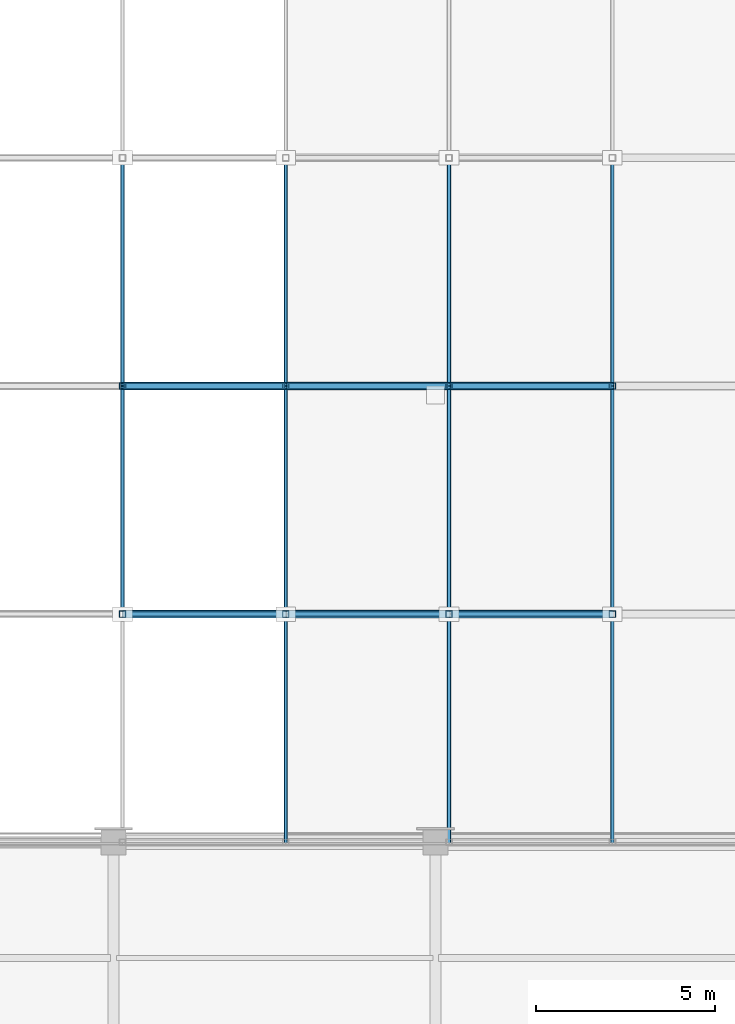
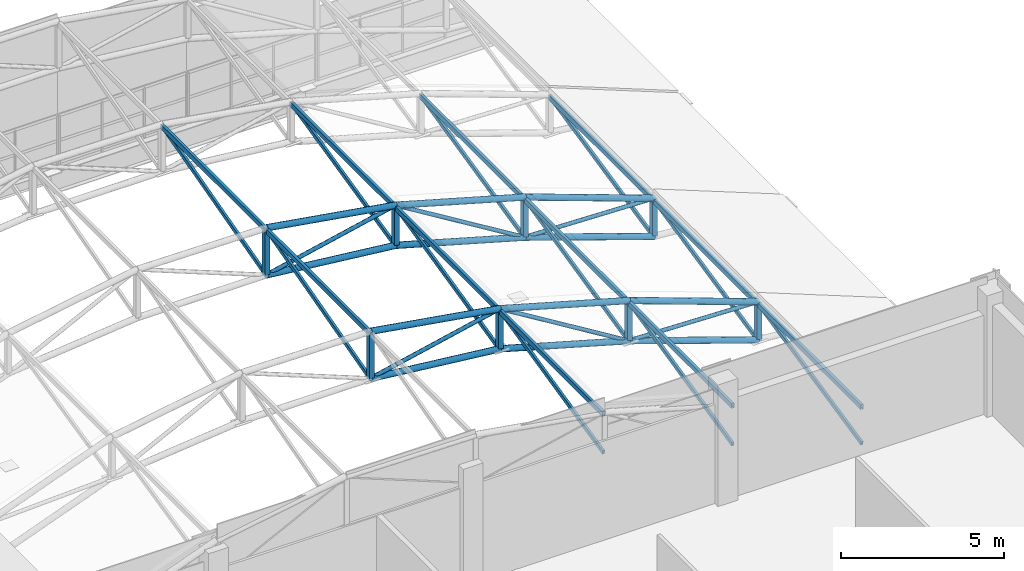
# One storey, part 52 of 101: 48 members.
"""IFC4 building model written with IfcOpenShell, lengths in metres."""

from ifc_helpers import new_model, si_unit, direction, frame, origin, origin_2d, place, context, subcontext, project, spatial, hollow_rectangle, hollow_circle, extrude, material, material_profile, profile_set, type_object, element, save


model = new_model("IFC4")

# Units and contexts
model_context = context("Model", 3, precision=1e-05, world=origin(), true_north=direction((0.0, 1.0)))
body_context = subcontext(model_context, "Body", "Model", "MODEL_VIEW")
ifc_project = project(units=[si_unit("LENGTHUNIT", "METRE"), si_unit("AREAUNIT", "SQUARE_METRE"), si_unit("VOLUMEUNIT", "CUBIC_METRE"), si_unit("PLANEANGLEUNIT", "RADIAN"), si_unit("MASSUNIT", "GRAM", prefix="KILO")], contexts=[model_context])

# Site, building, storey
site_placement = place(None, origin())
site = spatial("IfcSite", under=ifc_project, at=site_placement, CompositionType="ELEMENT")
building_placement = place(site_placement, origin())
building = spatial("IfcBuilding", under=site, at=building_placement, Name="Solvikara Media Centre", CompositionType="ELEMENT")
storey_placement = place(building_placement, frame((0.0, 0.0, 10.199951171875)))
storey = spatial("IfcBuildingStorey", under=building, at=storey_placement, Name="L02", CompositionType="ELEMENT", Elevation=10.199951171875)

# Members
ifc_material = material(Name="Steel S355JR", Category="steel")
ifc_material_profile_1 = material_profile(ifc_material, hollow_circle(Radius=0.109619140625, WallThickness=0.008056640625, at=origin_2d()), Name="CHS 219.1x8")
ifc_profile_set_1 = profile_set([ifc_material_profile_1], Name="Steel S355JR")
member_type_1 = type_object("IfcMemberType", Name="MB-05", PredefinedType="CHORD", material=ifc_profile_set_1)
member_1_placement = place(storey_placement, frame((145.75, 52.875, 5.41015625), z_axis=(0.986711742418, 0.0, -0.162480575373), x_axis=(0.0, 1.0, 0.0)))
element("IfcMember", 1, at=member_1_placement, inside=storey, type_object=member_type_1, Name="BSA-TC-01-04", PredefinedType="CHORD", context=body_context, shape_type="SweptSolid", body=[
    extrude(hollow_circle(Radius=0.109619140625, WallThickness=0.008056640625, at=origin_2d()), origin(), (0.0, 0.0, 1.0), 4.62353515625),
])
member_2_placement = place(storey_placement, frame((145.75, 52.875, 3.650146484375), z_axis=(0.994253057295, 0.0, -0.107055397157), x_axis=(0.0, 1.0, 0.0)))
element("IfcMember", 2, at=member_2_placement, inside=storey, type_object=member_type_1, Name="BSA-BC-01-04", PredefinedType="CHORD", context=body_context, shape_type="SweptSolid", body=[
    extrude(hollow_circle(Radius=0.109619140625, WallThickness=0.008056640625, at=origin_2d()), origin(), (0.0, 0.0, 1.0), 4.58837890625),
])
for number, where, z_axis, x_axis, name in (
    (3, (150.31201171875, 52.875, 4.658935546875), (0.962119975268, 0.0, -0.272626398556), (0.0, 1.0, 0.0), "BSA-TC-01-05"),
    (4, (150.31201171875, 52.875, 3.158935546875), (0.962119975268, 0.0, -0.272626398556), (0.0, 1.0, 0.0), "BSA-BC-01-05"),
):
    element("IfcMember", number, at=place(storey_placement, frame(where, z_axis=z_axis, x_axis=x_axis)), inside=storey, type_object=member_type_1, Name=name, PredefinedType="CHORD", context=body_context, shape_type="SweptSolid", body=[
        extrude(hollow_circle(Radius=0.109619140625, WallThickness=0.008056640625, at=origin_2d()), origin(), (0.0, 0.0, 1.0), 4.74267578125),
    ])
member_3_placement = place(storey_placement, frame((154.875, 52.875, 3.365966796875), z_axis=(0.940941951614, 0.0, -0.338567930691), x_axis=(0.0, 1.0, 0.0)))
element("IfcMember", 5, at=member_3_placement, inside=storey, type_object=member_type_1, Name="BSA-TC-01-06", PredefinedType="CHORD", context=body_context, shape_type="SweptSolid", body=[
    extrude(hollow_circle(Radius=0.109619140625, WallThickness=0.008056640625, at=origin_2d()), origin(), (0.0, 0.0, 1.0), 4.849365234375),
])
member_4_placement = place(storey_placement, frame((154.875, 52.875, 1.865966796875), z_axis=(0.94585275082, 0.0, -0.324596016252), x_axis=(0.0, 1.0, 0.0)))
element("IfcMember", 6, at=member_4_placement, inside=storey, type_object=member_type_1, Name="BSA-BC-01-06", PredefinedType="CHORD", context=body_context, shape_type="SweptSolid", body=[
    extrude(hollow_circle(Radius=0.109619140625, WallThickness=0.008056640625, at=origin_2d()), origin(), (0.0, 0.0, 1.0), 4.82421875),
])
member_5_placement = place(storey_placement, frame((145.75, 59.25, 5.41015625), z_axis=(0.986711742418, 0.0, -0.162480575373), x_axis=(0.0, 1.0, 0.0)))
element("IfcMember", 7, at=member_5_placement, inside=storey, type_object=member_type_1, Name="BSA-TC-02-04", PredefinedType="CHORD", context=body_context, shape_type="SweptSolid", body=[
    extrude(hollow_circle(Radius=0.109619140625, WallThickness=0.008056640625, at=origin_2d()), origin(), (0.0, 0.0, 1.0), 4.62353515625),
])
member_6_placement = place(storey_placement, frame((145.75, 59.25, 3.650146484375), z_axis=(0.994253057295, 0.0, -0.107055397157), x_axis=(0.0, 1.0, 0.0)))
element("IfcMember", 8, at=member_6_placement, inside=storey, type_object=member_type_1, Name="BSA-BC-02-04", PredefinedType="CHORD", context=body_context, shape_type="SweptSolid", body=[
    extrude(hollow_circle(Radius=0.109619140625, WallThickness=0.008056640625, at=origin_2d()), origin(), (0.0, 0.0, 1.0), 4.58837890625),
])
for number, where, z_axis, x_axis, name in (
    (9, (150.31201171875, 59.25, 4.658935546875), (0.962119975268, 0.0, -0.272626398556), (0.0, 1.0, 0.0), "BSA-TC-02-05"),
    (10, (150.31201171875, 59.25, 3.158935546875), (0.962119975268, 0.0, -0.272626398556), (0.0, 1.0, 0.0), "BSA-BC-02-05"),
):
    element("IfcMember", number, at=place(storey_placement, frame(where, z_axis=z_axis, x_axis=x_axis)), inside=storey, type_object=member_type_1, Name=name, PredefinedType="CHORD", context=body_context, shape_type="SweptSolid", body=[
        extrude(hollow_circle(Radius=0.109619140625, WallThickness=0.008056640625, at=origin_2d()), origin(), (0.0, 0.0, 1.0), 4.74267578125),
    ])
member_7_placement = place(storey_placement, frame((154.875, 59.25, 3.365966796875), z_axis=(0.940941951614, 0.0, -0.338567930691), x_axis=(0.0, 1.0, 0.0)))
element("IfcMember", 11, at=member_7_placement, inside=storey, type_object=member_type_1, Name="BSA-TC-02-06", PredefinedType="CHORD", context=body_context, shape_type="SweptSolid", body=[
    extrude(hollow_circle(Radius=0.109619140625, WallThickness=0.008056640625, at=origin_2d()), origin(), (0.0, 0.0, 1.0), 4.849365234375),
])
member_8_placement = place(storey_placement, frame((154.875, 59.25, 1.865966796875), z_axis=(0.94585275082, 0.0, -0.324596016252), x_axis=(0.0, 1.0, 0.0)))
element("IfcMember", 12, at=member_8_placement, inside=storey, type_object=member_type_1, Name="BSA-BC-02-06", PredefinedType="CHORD", context=body_context, shape_type="SweptSolid", body=[
    extrude(hollow_circle(Radius=0.109619140625, WallThickness=0.008056640625, at=origin_2d()), origin(), (0.0, 0.0, 1.0), 4.82421875),
])
ifc_material_profile_2 = material_profile(ifc_material, hollow_circle(Radius=0.06982421875, WallThickness=0.00634765625, at=origin_2d()), Name="CHS 139.7x6.3")
ifc_profile_set_2 = profile_set([ifc_material_profile_2], Name="Steel S355JR")
member_type_2 = type_object("IfcMemberType", Name="MB-08", PredefinedType="BRACE", material=ifc_profile_set_2)
member_9_placement = place(storey_placement, frame((145.75, 52.875, 3.650146484375), z_axis=(0.976412757167, 0.0, 0.215912314707), x_axis=(0.0, 1.0, 0.0)))
element("IfcMember", 13, at=member_9_placement, inside=storey, type_object=member_type_2, Name="BSA-DG-01-04", PredefinedType="BRACE", context=body_context, shape_type="SweptSolid", body=[
    extrude(hollow_circle(Radius=0.06982421875, WallThickness=0.00634765625, at=origin_2d()), origin(), (0.0, 0.0, 1.0), 4.672119140625),
])
member_10_placement = place(storey_placement, frame((150.31201171875, 52.875, 4.658935546875), z_axis=(0.852909361519, 0.0, -0.522059020641), x_axis=(0.0, 1.0, 0.0)))
element("IfcMember", 14, at=member_10_placement, inside=storey, type_object=member_type_2, Name="BSA-DG-01-05", PredefinedType="BRACE", context=body_context, shape_type="SweptSolid", body=[
    extrude(hollow_circle(Radius=0.06982421875, WallThickness=0.00634765625, at=origin_2d()), origin(), (0.0, 0.0, 1.0), 5.349853515625),
])
member_11_placement = place(storey_placement, frame((154.875, 52.875, 1.865966796875), z_axis=(0.999517175782, 0.0, -0.03107113318), x_axis=(0.0, 1.0, 0.0)))
element("IfcMember", 15, at=member_11_placement, inside=storey, type_object=member_type_2, Name="BSA-DG-01-06", PredefinedType="BRACE", context=body_context, shape_type="SweptSolid", body=[
    extrude(hollow_circle(Radius=0.06982421875, WallThickness=0.00634765625, at=origin_2d()), origin(), (0.0, 0.0, 1.0), 4.565185546875),
])
member_12_placement = place(storey_placement, frame((145.75, 59.25, 3.650146484375), z_axis=(0.976412757167, 0.0, 0.215912314707), x_axis=(0.0, 1.0, 0.0)))
element("IfcMember", 16, at=member_12_placement, inside=storey, type_object=member_type_2, Name="BSA-DG-02-04", PredefinedType="BRACE", context=body_context, shape_type="SweptSolid", body=[
    extrude(hollow_circle(Radius=0.06982421875, WallThickness=0.00634765625, at=origin_2d()), origin(), (0.0, 0.0, 1.0), 4.672119140625),
])
member_13_placement = place(storey_placement, frame((150.31201171875, 59.25, 4.658935546875), z_axis=(0.852909361519, 0.0, -0.522059020641), x_axis=(0.0, 1.0, 0.0)))
element("IfcMember", 17, at=member_13_placement, inside=storey, type_object=member_type_2, Name="BSA-DG-02-05", PredefinedType="BRACE", context=body_context, shape_type="SweptSolid", body=[
    extrude(hollow_circle(Radius=0.06982421875, WallThickness=0.00634765625, at=origin_2d()), origin(), (0.0, 0.0, 1.0), 5.349853515625),
])
member_14_placement = place(storey_placement, frame((154.875, 59.25, 1.865966796875), z_axis=(0.999517175782, 0.0, -0.03107113318), x_axis=(0.0, 1.0, 0.0)))
element("IfcMember", 18, at=member_14_placement, inside=storey, type_object=member_type_2, Name="BSA-DG-02-06", PredefinedType="BRACE", context=body_context, shape_type="SweptSolid", body=[
    extrude(hollow_circle(Radius=0.06982421875, WallThickness=0.00634765625, at=origin_2d()), origin(), (0.0, 0.0, 1.0), 4.565185546875),
])
ifc_material_profile_3 = material_profile(ifc_material, hollow_rectangle(XDim=0.179931640625, YDim=0.179931640625, WallThickness=0.008056640625, at=origin_2d()), Name="RHS 180x180x8")
ifc_profile_set_3 = profile_set([ifc_material_profile_3], Name="Steel S355JR")
member_type_3 = type_object("IfcMemberType", Name="MB-14", PredefinedType="BRACE", material=ifc_profile_set_3)
member_15_placement = place(storey_placement, frame((145.75, 52.875, 3.650146484375), z_axis=(0.0, 0.0, 1.0), x_axis=(1.0, 0.0, 0.0)))
element("IfcMember", 19, at=member_15_placement, inside=storey, type_object=member_type_3, Name="BSA-VT-01-04", PredefinedType="BRACE", context=body_context, shape_type="SweptSolid", body=[
    extrude(hollow_rectangle(XDim=0.179931640625, YDim=0.179931640625, WallThickness=0.008056640625, at=origin_2d()), origin(), (0.0, 0.0, 1.0), 1.760009765625),
])
for number, where, z_axis, x_axis, name in (
    (20, (150.31201171875, 52.875, 3.158935546875), (0.0, 0.0, 1.0), (1.0, 0.0, 0.0), "BSA-VT-01-05"),
    (21, (154.875, 52.875, 1.865966796875), (0.0, 0.0, 1.0), (1.0, 0.0, 0.0), "BSA-VT-01-06"),
):
    element("IfcMember", number, at=place(storey_placement, frame(where, z_axis=z_axis, x_axis=x_axis)), inside=storey, type_object=member_type_3, Name=name, PredefinedType="BRACE", context=body_context, shape_type="SweptSolid", body=[
        extrude(hollow_rectangle(XDim=0.179931640625, YDim=0.179931640625, WallThickness=0.008056640625, at=origin_2d()), origin(), (0.0, 0.0, 1.0), 1.5),
    ])
member_16_placement = place(storey_placement, frame((159.43798828125, 52.875, 0.300048828125), z_axis=(0.0, 0.0, 1.0), x_axis=(1.0, 0.0, 0.0)))
element("IfcMember", 22, at=member_16_placement, inside=storey, type_object=member_type_3, Name="BSA-VT-01-07", PredefinedType="BRACE", context=body_context, shape_type="SweptSolid", body=[
    extrude(hollow_rectangle(XDim=0.179931640625, YDim=0.179931640625, WallThickness=0.008056640625, at=origin_2d()), origin(), (0.0, 0.0, 1.0), 1.424072265625),
])
member_17_placement = place(storey_placement, frame((145.75, 59.25, 3.650146484375), z_axis=(0.0, 0.0, 1.0), x_axis=(1.0, 0.0, 0.0)))
element("IfcMember", 23, at=member_17_placement, inside=storey, type_object=member_type_3, Name="BSA-VT-02-04", PredefinedType="BRACE", context=body_context, shape_type="SweptSolid", body=[
    extrude(hollow_rectangle(XDim=0.179931640625, YDim=0.179931640625, WallThickness=0.008056640625, at=origin_2d()), origin(), (0.0, 0.0, 1.0), 1.760009765625),
])
for number, where, z_axis, x_axis, name in (
    (24, (150.31201171875, 59.25, 3.158935546875), (0.0, 0.0, 1.0), (1.0, 0.0, 0.0), "BSA-VT-02-05"),
    (25, (154.875, 59.25, 1.865966796875), (0.0, 0.0, 1.0), (1.0, 0.0, 0.0), "BSA-VT-02-06"),
):
    element("IfcMember", number, at=place(storey_placement, frame(where, z_axis=z_axis, x_axis=x_axis)), inside=storey, type_object=member_type_3, Name=name, PredefinedType="BRACE", context=body_context, shape_type="SweptSolid", body=[
        extrude(hollow_rectangle(XDim=0.179931640625, YDim=0.179931640625, WallThickness=0.008056640625, at=origin_2d()), origin(), (0.0, 0.0, 1.0), 1.5),
    ])
member_18_placement = place(storey_placement, frame((159.43798828125, 59.25, 0.300048828125), z_axis=(0.0, 0.0, 1.0), x_axis=(1.0, 0.0, 0.0)))
element("IfcMember", 26, at=member_18_placement, inside=storey, type_object=member_type_3, Name="BSA-VT-02-07", PredefinedType="BRACE", context=body_context, shape_type="SweptSolid", body=[
    extrude(hollow_rectangle(XDim=0.179931640625, YDim=0.179931640625, WallThickness=0.008056640625, at=origin_2d()), origin(), (0.0, 0.0, 1.0), 1.424072265625),
])
ifc_material_profile_4 = material_profile(ifc_material, hollow_rectangle(XDim=0.10009765625, YDim=0.179931640625, WallThickness=0.0048828125, at=origin_2d()), Name="RHS 180x100x5")
ifc_profile_set_4 = profile_set([ifc_material_profile_4], Name="Steel S355JR")
member_type_4 = type_object("IfcMemberType", Name="MB-18", PredefinedType="PURLIN", material=ifc_profile_set_4)
for number, where, z_axis, x_axis, name in (
    (27, (150.31201171875, 46.5, 4.593994140625), (0.0, 1.0, 0.0), (-1.0, 0.0, 0.0), "BSA-PRL-00-05"),
    (28, (154.875, 46.5, 3.301025390625), (0.0, 1.0, 0.0), (-1.0, 0.0, 0.0), "BSA-PRL-00-06"),
    (29, (159.43798828125, 46.5, 1.658935546875), (0.0, 1.0, 0.0), (-1.0, 0.0, 0.0), "BSA-PRL-00-07"),
    (30, (145.75, 52.875, 5.344970703125), (0.0, 1.0, 0.0), (-1.0, 0.0, 0.0), "BSA-PRL-01-04"),
    (31, (150.31201171875, 52.875, 4.593994140625), (0.0, 1.0, 0.0), (-1.0, 0.0, 0.0), "BSA-PRL-01-05"),
    (32, (154.875, 52.875, 3.301025390625), (0.0, 1.0, 0.0), (-1.0, 0.0, 0.0), "BSA-PRL-01-06"),
    (33, (159.43798828125, 52.875, 1.658935546875), (0.0, 1.0, 0.0), (-1.0, 0.0, 0.0), "BSA-PRL-01-07"),
    (34, (145.75, 59.25, 5.344970703125), (0.0, 1.0, 0.0), (-1.0, 0.0, 0.0), "BSA-PRL-02-04"),
    (35, (150.31201171875, 59.25, 4.593994140625), (0.0, 1.0, 0.0), (-1.0, 0.0, 0.0), "BSA-PRL-02-05"),
    (36, (154.875, 59.25, 3.301025390625), (0.0, 1.0, 0.0), (-1.0, 0.0, 0.0), "BSA-PRL-02-06"),
    (37, (159.43798828125, 59.25, 1.658935546875), (0.0, 1.0, 0.0), (-1.0, 0.0, 0.0), "BSA-PRL-02-07"),
):
    element("IfcMember", number, at=place(storey_placement, frame(where, z_axis=z_axis, x_axis=x_axis)), inside=storey, type_object=member_type_4, Name=name, PredefinedType="PURLIN", context=body_context, shape_type="SweptSolid", body=[
        extrude(hollow_rectangle(XDim=0.10009765625, YDim=0.179931640625, WallThickness=0.0048828125, at=origin_2d()), origin(), (0.0, 0.0, 1.0), 6.375),
    ])
ifc_material_profile_5 = material_profile(ifc_material, hollow_rectangle(XDim=0.080078125, YDim=0.14990234375, WallThickness=0.0048828125, at=origin_2d()), Name="RHS 150x80x5")
ifc_profile_set_5 = profile_set([ifc_material_profile_5], Name="Steel S355JR")
member_type_5 = type_object("IfcMemberType", Name="MB-27", PredefinedType="PURLIN", material=ifc_profile_set_5)
for number, where, z_axis, x_axis, name in (
    (38, (150.31201171875, 46.5, 3.158935546875), (0.0, 0.9745939809, 0.223978955246), (-1.0, 0.0, 0.0), "BSA-3D-00-05"),
    (39, (154.875, 46.5, 1.865966796875), (0.0, 0.9745939809, 0.223978955246), (-1.0, 0.0, 0.0), "BSA-3D-00-06"),
):
    element("IfcMember", number, at=place(storey_placement, frame(where, z_axis=z_axis, x_axis=x_axis)), inside=storey, type_object=member_type_5, Name=name, PredefinedType="PURLIN", context=body_context, shape_type="SweptSolid", body=[
        extrude(hollow_rectangle(XDim=0.080078125, YDim=0.14990234375, WallThickness=0.0048828125, at=origin_2d()), origin(), (0.0, 0.0, 1.0), 6.541259765625),
    ])
member_19_placement = place(storey_placement, frame((159.43798828125, 46.5, 0.300048828125), z_axis=(0.0, 0.977079338098, 0.212875473133), x_axis=(-1.0, 0.0, 0.0)))
element("IfcMember", 40, at=member_19_placement, inside=storey, type_object=member_type_5, Name="BSA-3D-00-07", PredefinedType="PURLIN", context=body_context, shape_type="SweptSolid", body=[
    extrude(hollow_rectangle(XDim=0.080078125, YDim=0.14990234375, WallThickness=0.0048828125, at=origin_2d()), origin(), (0.0, 0.0, 1.0), 6.524658203125),
])
member_20_placement = place(storey_placement, frame((145.75, 52.875, 3.650146484375), z_axis=(0.0, 0.965291636359, 0.261174380012), x_axis=(-1.0, 0.0, 0.0)))
element("IfcMember", 41, at=member_20_placement, inside=storey, type_object=member_type_5, Name="BSA-3D-01-04", PredefinedType="PURLIN", context=body_context, shape_type="SweptSolid", body=[
    extrude(hollow_rectangle(XDim=0.080078125, YDim=0.14990234375, WallThickness=0.0048828125, at=origin_2d()), origin(), (0.0, 0.0, 1.0), 6.604248046875),
])
for number, where, z_axis, x_axis, name in (
    (42, (150.31201171875, 52.875, 3.158935546875), (0.0, 0.9745939809, 0.223978955246), (-1.0, 0.0, 0.0), "BSA-3D-01-05"),
    (43, (154.875, 52.875, 1.865966796875), (0.0, 0.9745939809, 0.223978955246), (-1.0, 0.0, 0.0), "BSA-3D-01-06"),
):
    element("IfcMember", number, at=place(storey_placement, frame(where, z_axis=z_axis, x_axis=x_axis)), inside=storey, type_object=member_type_5, Name=name, PredefinedType="PURLIN", context=body_context, shape_type="SweptSolid", body=[
        extrude(hollow_rectangle(XDim=0.080078125, YDim=0.14990234375, WallThickness=0.0048828125, at=origin_2d()), origin(), (0.0, 0.0, 1.0), 6.541259765625),
    ])
member_21_placement = place(storey_placement, frame((159.43798828125, 52.875, 0.300048828125), z_axis=(0.0, 0.977079338098, 0.212875473133), x_axis=(-1.0, 0.0, 0.0)))
element("IfcMember", 44, at=member_21_placement, inside=storey, type_object=member_type_5, Name="BSA-3D-01-07", PredefinedType="PURLIN", context=body_context, shape_type="SweptSolid", body=[
    extrude(hollow_rectangle(XDim=0.080078125, YDim=0.14990234375, WallThickness=0.0048828125, at=origin_2d()), origin(), (0.0, 0.0, 1.0), 6.524658203125),
])
member_22_placement = place(storey_placement, frame((145.75, 59.25, 3.650146484375), z_axis=(0.0, 0.965291636359, 0.261174380012), x_axis=(-1.0, 0.0, 0.0)))
element("IfcMember", 45, at=member_22_placement, inside=storey, type_object=member_type_5, Name="BSA-3D-02-04", PredefinedType="PURLIN", context=body_context, shape_type="SweptSolid", body=[
    extrude(hollow_rectangle(XDim=0.080078125, YDim=0.14990234375, WallThickness=0.0048828125, at=origin_2d()), origin(), (0.0, 0.0, 1.0), 6.604248046875),
])
for number, where, z_axis, x_axis, name in (
    (46, (150.31201171875, 59.25, 3.158935546875), (0.0, 0.9745939809, 0.223978955246), (-1.0, 0.0, 0.0), "BSA-3D-02-05"),
    (47, (154.875, 59.25, 1.865966796875), (0.0, 0.9745939809, 0.223978955246), (-1.0, 0.0, 0.0), "BSA-3D-02-06"),
):
    element("IfcMember", number, at=place(storey_placement, frame(where, z_axis=z_axis, x_axis=x_axis)), inside=storey, type_object=member_type_5, Name=name, PredefinedType="PURLIN", context=body_context, shape_type="SweptSolid", body=[
        extrude(hollow_rectangle(XDim=0.080078125, YDim=0.14990234375, WallThickness=0.0048828125, at=origin_2d()), origin(), (0.0, 0.0, 1.0), 6.541259765625),
    ])
member_23_placement = place(storey_placement, frame((159.43798828125, 59.25, 0.300048828125), z_axis=(0.0, 0.977079338098, 0.212875473133), x_axis=(-1.0, 0.0, 0.0)))
element("IfcMember", 48, at=member_23_placement, inside=storey, type_object=member_type_5, Name="BSA-3D-02-07", PredefinedType="PURLIN", context=body_context, shape_type="SweptSolid", body=[
    extrude(hollow_rectangle(XDim=0.080078125, YDim=0.14990234375, WallThickness=0.0048828125, at=origin_2d()), origin(), (0.0, 0.0, 1.0), 6.524658203125),
])

save(model, "model.ifc")
